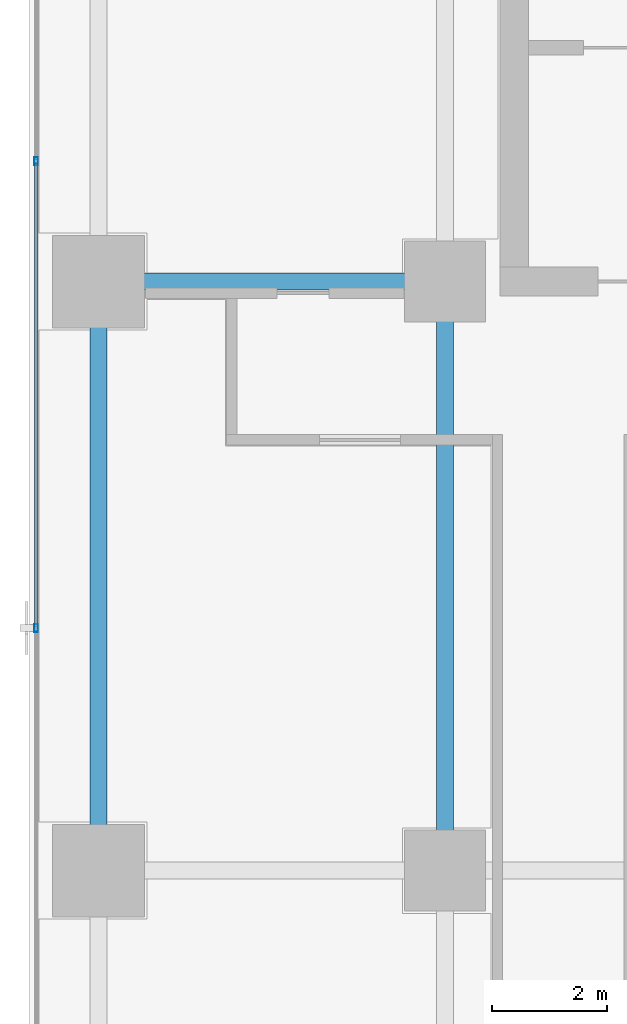
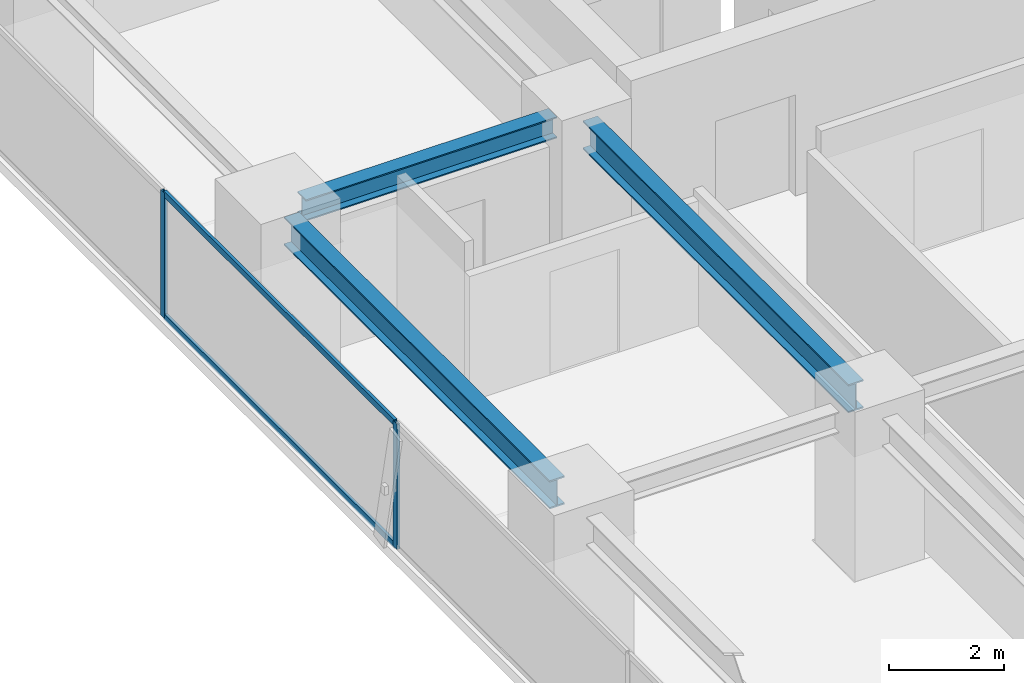
# One storey, part 10 of 32: 4 members, 3 beams, 1 element without a shape of its own.
"""IFC4 building model written with IfcOpenShell, lengths in metres."""

from ifc_helpers import new_model, si_unit, direction, frame, origin, origin_2d, place, context, subcontext, project, spatial, hollow_rectangle, i_section, extrude, source, transform, mapped, material, layer, layer_set, material_profile, profile_set, type_object, element, aggregate, save


model = new_model("IFC4")

# Units and contexts
model_context = context("Model", 3, precision=1e-05, world=origin(), true_north=direction((0.0, 1.0)))
body_context = subcontext(model_context, "Body", "Model", "MODEL_VIEW")
ifc_project = project(units=[si_unit("LENGTHUNIT", "METRE"), si_unit("AREAUNIT", "SQUARE_METRE"), si_unit("VOLUMEUNIT", "CUBIC_METRE"), si_unit("PLANEANGLEUNIT", "RADIAN"), si_unit("MASSUNIT", "GRAM", prefix="KILO")], contexts=[model_context])

# Site, building, storey
site_placement = place(None, origin())
site = spatial("IfcSite", under=ifc_project, at=site_placement, CompositionType="ELEMENT")
building_placement = place(site_placement, origin())
building = spatial("IfcBuilding", under=site, at=building_placement, Name="Sumidabori Civic Tower", CompositionType="ELEMENT")
storey_placement = place(building_placement, frame((0.0, 0.0, 225.199951171875)))
storey = spatial("IfcBuildingStorey", under=building, at=storey_placement, Name="L58", CompositionType="ELEMENT", Elevation=225.199951171875)

# Beams
ifc_material_1 = material(Name="Steel SN490", Category="steel")
ifc_material_profile_1 = material_profile(ifc_material_1, i_section(OverallWidth=0.300048828125, OverallDepth=0.60009765625, WebThickness=0.015380859375, FlangeThickness=0.030029296875, at=origin_2d()), Name="HE 600 B")
ifc_profile_set_1 = profile_set([ifc_material_profile_1], Name="Steel SN490")
beam_type_1 = type_object("IfcBeamType", Name="BM-GIRD-600", PredefinedType="BEAM", material=ifc_profile_set_1)
shared_shape_1 = source(origin(), body_context, "Body", "SweptSolid", [
    extrude(i_section(OverallWidth=0.300048828125, OverallDepth=0.60009765625, WebThickness=0.015380859375, FlangeThickness=0.030029296875, at=origin_2d()), origin(), (0.0, 0.0, 1.0), 9.239990234375),
])
for number, where, z_axis, x_axis, name in (
    (1, (-22.800048828125, 0.47998046875, 3.0400390625), (0.0, 1.0, 0.0), (-1.0, 0.0, 0.0), "Primary Girder L58 GY-12"),
    (2, (-16.800048828125, 0.47998046875, 2.97998046875), (0.0, 1.0, 0.0), (-1.0, 0.0, 0.0), "Primary Girder L58 GY-15"),
):
    element("IfcBeam", number, at=place(storey_placement, frame(where, z_axis=z_axis, x_axis=x_axis)), inside=storey, type_object=beam_type_1, Name=name, PredefinedType="BEAM", context=body_context, shape_type="MappedRepresentation", body=[
        mapped(shared_shape_1, transform((0.0, 0.0, 0.0), x_axis=(1.0, 0.0, 0.0), y_axis=(0.0, 1.0, 0.0), z_axis=(0.0, 0.0, 1.0), scale=1.0)),
    ])
ifc_material_profile_2 = material_profile(ifc_material_1, i_section(OverallWidth=0.300048828125, OverallDepth=0.449951171875, WebThickness=0.013916015625, FlangeThickness=0.02587890625, at=origin_2d()), Name="HE 450 B")
ifc_profile_set_2 = profile_set([ifc_material_profile_2], Name="Steel SN490")
beam_type_2 = type_object("IfcBeamType", Name="BM-GIRD-450", PredefinedType="BEAM", material=ifc_profile_set_2)
shared_shape_2 = source(origin(), body_context, "Body", "SweptSolid", [
    extrude(i_section(OverallWidth=0.300048828125, OverallDepth=0.449951171875, WebThickness=0.013916015625, FlangeThickness=0.02587890625, at=origin_2d()), origin(), (0.0, 0.0, 1.0), 5.0400390625),
])
beam_placement = place(storey_placement, frame((-22.320068359375, 10.199951171875, 3.054931640625), z_axis=(1.0, 0.0, 0.0), x_axis=(0.0, 1.0, 0.0)))
element("IfcBeam", 3, at=beam_placement, inside=storey, type_object=beam_type_2, Name="Primary Girder L58 GX-09", PredefinedType="BEAM", context=body_context, shape_type="MappedRepresentation", body=[
    mapped(shared_shape_2, transform((0.0, 0.0, 0.0), x_axis=(1.0, 0.0, 0.0), y_axis=(0.0, 1.0, 0.0), z_axis=(0.0, 0.0, 1.0), scale=1.0)),
])

# Curtain wall, members
ifc_material_2 = material(Name="Anodised Bronze Aluminium AW-6063-T6", Category="aluminium")
ifc_layer = layer(ifc_material_2, 0.179931640625, Name="Anodised Bronze Aluminium AW-6063-T6")
ifc_layer_set = layer_set([ifc_layer], Name="Anodised Bronze Aluminium AW-6063-T6")
curtain_wall_type = type_object("IfcCurtainWallType", Name="CW-SYS-5", PredefinedType="NOTDEFINED", material=ifc_layer_set)
curtain_wall_placement = place(storey_placement, origin())
curtain_wall = element("IfcCurtainWall", 4, at=curtain_wall_placement, inside=storey, type_object=curtain_wall_type, Name="Curtain Wall CW:L58:R17", PredefinedType="NOTDEFINED")
ifc_material_profile_3 = material_profile(ifc_material_2, hollow_rectangle(XDim=0.06005859375, YDim=0.1298828125, WallThickness=0.0048828125, at=origin_2d()), Name="ALU TRANSOM 130x60")
ifc_profile_set_3 = profile_set([ifc_material_profile_3], Name="Anodised Bronze Aluminium AW-6063-T6")
member_type_1 = type_object("IfcMemberType", Name="CW-TRN-130", PredefinedType="USERDEFINED", material=ifc_profile_set_3)
shared_shape_3 = source(origin(), body_context, "Body", "SweptSolid", [
    extrude(hollow_rectangle(XDim=0.06005859375, YDim=0.1298828125, WallThickness=0.0048828125, at=origin_2d()), origin(), (0.0, 0.0, 1.0), 8.02490234375),
])
member_1_placement = place(storey_placement, frame((-23.8798828125, 12.2548828125, 0.030029296875), z_axis=(0.0, -1.0, 0.0), x_axis=(1.0, 0.0, 0.0)))
member_1 = element("IfcMember", 5, at=member_1_placement, type_object=member_type_1, Name="CW-5 transom 2.1", ObjectType="TRANSOM", PredefinedType="USERDEFINED", context=body_context, shape_type="MappedRepresentation", body=[
    mapped(shared_shape_3, transform((0.0, 0.0, 0.0), x_axis=(1.0, 0.0, 0.0), y_axis=(0.0, 1.0, 0.0), z_axis=(0.0, 0.0, 1.0), scale=1.0)),
])
member_2_placement = place(storey_placement, frame((-23.8798828125, 12.2548828125, 2.630126953125), z_axis=(0.0, -1.0, 0.0), x_axis=(1.0, 0.0, 0.0)))
member_2 = element("IfcMember", 6, at=member_2_placement, type_object=member_type_1, Name="CW-5 transom 2.2", ObjectType="TRANSOM", PredefinedType="USERDEFINED", context=body_context, shape_type="MappedRepresentation", body=[
    mapped(shared_shape_3, transform((0.0, 0.0, 0.0), x_axis=(1.0, 0.0, 0.0), y_axis=(0.0, 1.0, 0.0), z_axis=(0.0, 0.0, 1.0), scale=1.0)),
])
ifc_material_profile_4 = material_profile(ifc_material_2, hollow_rectangle(XDim=0.06005859375, YDim=0.139892578125, WallThickness=0.0048828125, at=origin_2d()), Name="ALU MULLION 140x60")
ifc_profile_set_4 = profile_set([ifc_material_profile_4], Name="Anodised Bronze Aluminium AW-6063-T6")
member_type_2 = type_object("IfcMemberType", Name="CW-MUL-140", PredefinedType="MULLION", material=ifc_profile_set_4)
shared_shape_4 = source(origin(), body_context, "Body", "SweptSolid", [
    extrude(hollow_rectangle(XDim=0.06005859375, YDim=0.139892578125, WallThickness=0.0048828125, at=origin_2d()), origin(), (0.0, 0.0, 1.0), 2.66015625),
])
member_3_placement = place(storey_placement, frame((-23.8798828125, 12.284912109375, 0.0), z_axis=(0.0, 0.0, 1.0), x_axis=(1.0, 0.0, 0.0)))
member_3 = element("IfcMember", 7, at=member_3_placement, type_object=member_type_2, Name="CW-5 mullion 2", PredefinedType="MULLION", context=body_context, shape_type="MappedRepresentation", body=[
    mapped(shared_shape_4, transform((0.0, 0.0, 0.0), x_axis=(1.0, 0.0, 0.0), y_axis=(0.0, 1.0, 0.0), z_axis=(0.0, 0.0, 1.0), scale=1.0)),
])
member_4_placement = place(storey_placement, frame((-23.8798828125, 4.199951171875, 0.0), z_axis=(0.0, 0.0, 1.0), x_axis=(1.0, 0.0, 0.0)))
member_4 = element("IfcMember", 8, at=member_4_placement, type_object=member_type_2, Name="CW-5 mullion 3", PredefinedType="MULLION", context=body_context, shape_type="MappedRepresentation", body=[
    mapped(shared_shape_4, transform((0.0, 0.0, 0.0), x_axis=(1.0, 0.0, 0.0), y_axis=(0.0, 1.0, 0.0), z_axis=(0.0, 0.0, 1.0), scale=1.0)),
])
aggregate(curtain_wall, [member_3, member_4, member_1, member_2])

save(model, "model.ifc")
